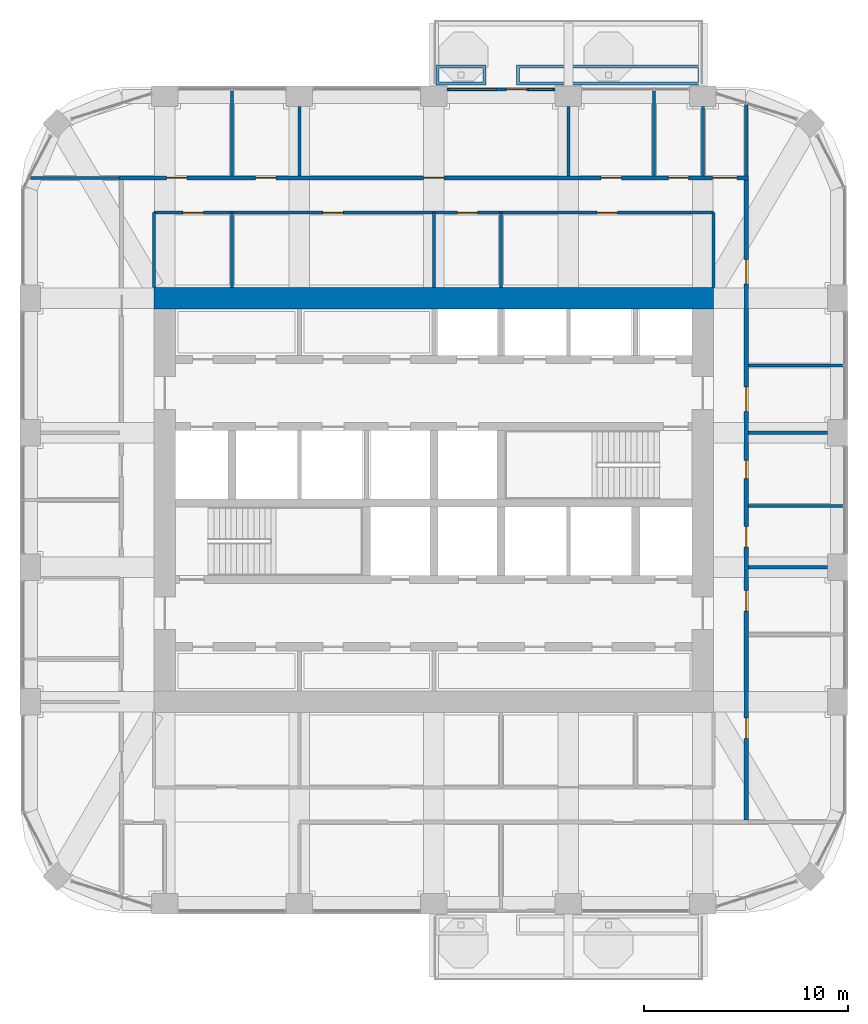
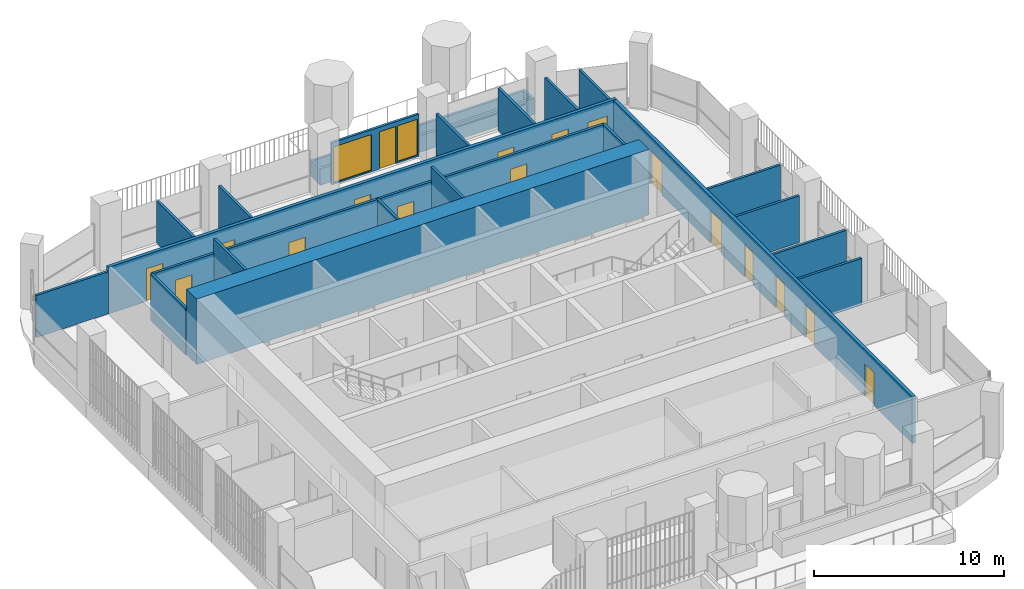
# One storey, part 16 of 21: 23 walls, 17 doors, 2 windows, 19 openings.
"""IFC4 building model written with IfcOpenShell, lengths in metres."""

from ifc_helpers import new_model, si_unit, direction, frame, frame_2d, origin, place, context, subcontext, project, spatial, polyline, rectangle, outline, extrude, material, layer, layer_set, type_object, element, fill, save


model = new_model("IFC4")

# Units and contexts
model_context = context("Model", 3, precision=1e-05, world=origin(), true_north=direction((0.0, 1.0)))
body_context = subcontext(model_context, "Body", "Model", "MODEL_VIEW")
ifc_project = project(units=[si_unit("LENGTHUNIT", "METRE"), si_unit("AREAUNIT", "SQUARE_METRE"), si_unit("VOLUMEUNIT", "CUBIC_METRE"), si_unit("PLANEANGLEUNIT", "RADIAN"), si_unit("MASSUNIT", "GRAM", prefix="KILO")], contexts=[model_context])

# Site, building, storey
site_placement = place(None, origin())
site = spatial("IfcSite", under=ifc_project, at=site_placement, CompositionType="ELEMENT")
building_placement = place(site_placement, origin())
building = spatial("IfcBuilding", under=site, at=building_placement, Name="Cobogo Forest Laboratory Tower", CompositionType="ELEMENT")
storey_placement = place(building_placement, frame((0.0, 0.0, 250.199951171875)))
storey = spatial("IfcBuildingStorey", under=building, at=storey_placement, Name="L57", CompositionType="ELEMENT", Elevation=250.199951171875)

# Wall
ifc_material_1 = material(Name="Concrete HA-50 (C50/60)", Category="concrete")
ifc_layer_1 = layer(ifc_material_1, 1.050048828125)
ifc_layer_set_1 = layer_set([ifc_layer_1], Name="CW1050 core outer wall 1050")
wall_type_1 = type_object("IfcWallType", Name="CW1050 core outer wall 1050", PredefinedType="SHEAR", material=ifc_layer_set_1)
wall_1_placement = place(storey_placement, frame((40.125, 33.0, 0.0), z_axis=(0.0, 0.0, 1.0), x_axis=(-1.0, 0.0, 0.0)))
element("IfcWall", 1, at=wall_1_placement, inside=storey, type_object=wall_type_1, Name="Core wall CO-N L57", PredefinedType="SHEAR", context=body_context, shape_type="SweptSolid", body=[
    extrude(rectangle(XDim=27.449951171875, YDim=1.050048828125, at=frame_2d((13.72509765625, 0.0))), origin(), (0.0, 0.0, 1.0), 4.199951171875),
])

# Wall, openings, door, windows
ifc_material_2 = material(Name="Aluminium framed glazed screen", Category="aluminium")
ifc_layer_2 = layer(ifc_material_2, 0.14990234375)
ifc_layer_set_2 = layer_set([ifc_layer_2], Name="GS1 glazed door screen 150")
wall_type_2 = type_object("IfcWallType", Name="GS1 glazed door screen 150", PredefinedType="SOLIDWALL", material=ifc_layer_set_2)
wall_2_placement = place(storey_placement, frame((32.35009765625, 43.25, 0.0), z_axis=(0.0, 0.0, 1.0), x_axis=(-1.0, 0.0, 0.0)))
wall_2 = element("IfcWall", 2, at=wall_2_placement, inside=storey, type_object=wall_type_2, Name="Door screen BAL-N1 L57", PredefinedType="SOLIDWALL", context=body_context, shape_type="SweptSolid", body=[
    extrude(rectangle(XDim=5.300048828125, YDim=0.14990234375, at=frame_2d((2.64990234375, 0.0))), origin(), (0.0, 0.0, 1.0), 2.699951171875),
])
opening_1_placement = place(wall_2_placement, frame((1.39990234375, 0.0, 0.0)))
opening_1 = element("IfcOpeningElement", 3, at=opening_1_placement, cuts=wall_2, Name="Opening L57-D51", PredefinedType="OPENING", context=body_context, shape_type="SweptSolid", body=[
    extrude(rectangle(XDim=1.0, YDim=2.39990234375, at=frame_2d((0.5, 1.199951171875))), frame((0.0, 0.0849609375, 0.0), z_axis=(0.0, -1.0, 0.0), x_axis=(1.0, 0.0, 0.0)), (0.0, 0.0, 1.0), 0.169921875),
])
opening_2_placement = place(wall_2_placement, frame((0.10009765625, 0.0, 0.10009765625)))
opening_2 = element("IfcOpeningElement", 4, at=opening_2_placement, cuts=wall_2, Name="Opening L57-W04", PredefinedType="OPENING", context=body_context, shape_type="SweptSolid", body=[
    extrude(rectangle(XDim=1.199951171875, YDim=2.300048828125, at=frame_2d((0.60009765625, 1.14990234375))), frame((0.0, 0.0849609375, 0.0), z_axis=(0.0, -1.0, 0.0), x_axis=(1.0, 0.0, 0.0)), (0.0, 0.0, 1.0), 0.169921875),
])
opening_3_placement = place(wall_2_placement, frame((2.89990234375, 0.0, 0.10009765625)))
opening_3 = element("IfcOpeningElement", 5, at=opening_3_placement, cuts=wall_2, Name="Opening L57-W03", PredefinedType="OPENING", context=body_context, shape_type="SweptSolid", body=[
    extrude(rectangle(XDim=2.300048828125, YDim=2.300048828125, at=frame_2d((1.14990234375, 1.14990234375))), frame((0.0, 0.0849609375, 0.0), z_axis=(0.0, -1.0, 0.0), x_axis=(1.0, 0.0, 0.0)), (0.0, 0.0, 1.0), 0.169921875),
])
ifc_material_3 = material(Name="Aluminium glazed door", Category="aluminium")
door_type_1 = type_object("IfcDoorType", Name="DB1 balcony door 1000 glazed", OperationType="SINGLE_SWING_LEFT", PredefinedType="DOOR", material=ifc_material_3)
door_1_placement = place(opening_1_placement, origin())
door_1 = element("IfcDoor", 6, at=door_1_placement, inside=storey, type_object=door_type_1, Name="Door L57-BAL-N1", OperationType="SINGLE_SWING_LEFT", OverallHeight=2.39990234375, OverallWidth=1.0, PredefinedType="DOOR", context=body_context, shape_type="SweptSolid", body=[
    extrude(rectangle(XDim=1.0, YDim=2.39990234375, at=frame_2d((0.5, 1.199951171875))), frame((0.0, 0.02490234375, 0.0), z_axis=(0.0, -1.0, 0.0), x_axis=(1.0, 0.0, 0.0)), (0.0, 0.0, 1.0), 0.050048828125),
])
fill(opening_1, door_1)
ifc_material_4 = material(Name="Aluminium framed glazing", Category="aluminium")
window_type_1 = type_object("IfcWindowType", Name="WG21 fixed glazed light 2300x2300", PartitioningType="SINGLE_PANEL", PredefinedType="WINDOW", material=ifc_material_4)
window_1_placement = place(opening_3_placement, origin())
window_1 = element("IfcWindow", 7, at=window_1_placement, inside=storey, type_object=window_type_1, Name="Window L57-BAL-N1-2", OverallHeight=2.300048828125, OverallWidth=2.300048828125, PartitioningType="SINGLE_PANEL", PredefinedType="WINDOW", context=body_context, shape_type="SweptSolid", body=[
    extrude(rectangle(XDim=2.300048828125, YDim=2.300048828125, at=frame_2d((1.14990234375, 1.14990234375))), frame((0.0, 0.030029296875, 0.0), z_axis=(0.0, -1.0, 0.0), x_axis=(1.0, 0.0, 0.0)), (0.0, 0.0, 1.0), 0.06005859375),
])
fill(opening_3, window_1)
window_type_2 = type_object("IfcWindowType", Name="WG22 fixed glazed light 1200x2300", PartitioningType="SINGLE_PANEL", PredefinedType="WINDOW", material=ifc_material_4)
window_2_placement = place(opening_2_placement, origin())
window_2 = element("IfcWindow", 8, at=window_2_placement, inside=storey, type_object=window_type_2, Name="Window L57-BAL-N1-1", OverallHeight=2.300048828125, OverallWidth=1.199951171875, PartitioningType="SINGLE_PANEL", PredefinedType="WINDOW", context=body_context, shape_type="SweptSolid", body=[
    extrude(rectangle(XDim=1.199951171875, YDim=2.300048828125, at=frame_2d((0.60009765625, 1.14990234375))), frame((0.0, 0.030029296875, 0.0), z_axis=(0.0, -1.0, 0.0), x_axis=(1.0, 0.0, 0.0)), (0.0, 0.0, 1.0), 0.06005859375),
])
fill(opening_2, window_2)

# Wall, openings, doors
ifc_material_5 = material(Name="Gypsum board on steel studs", Category="steel")
ifc_layer_3 = layer(ifc_material_5, 0.14990234375)
ifc_layer_set_3 = layer_set([ifc_layer_3], Name="PT1 laboratory partition 150")
wall_type_3 = type_object("IfcWallType", Name="PT1 laboratory partition 150", PredefinedType="PARTITIONING", material=ifc_layer_set_3)
wall_3_placement = place(storey_placement, frame((12.675048828125, 37.199951171875, 0.0), z_axis=(0.0, 0.0, 1.0), x_axis=(1.0, 0.0, 0.0)))
wall_3 = element("IfcWall", 9, at=wall_3_placement, inside=storey, type_object=wall_type_3, Name="Partition CSTRIP-N L57", PredefinedType="PARTITIONING", context=body_context, shape_type="SweptSolid", body=[
    extrude(rectangle(XDim=27.449951171875, YDim=0.14990234375, at=frame_2d((13.72509765625, 0.0))), origin(), (0.0, 0.0, 1.0), 3.0),
])
opening_4_placement = place(wall_3_placement, frame((1.41259765625, 0.0, 0.0)))
opening_4 = element("IfcOpeningElement", 10, at=opening_4_placement, cuts=wall_3, Name="Opening L57-D41", PredefinedType="OPENING", context=body_context, shape_type="SweptSolid", body=[
    extrude(rectangle(XDim=1.0, YDim=2.10009765625, at=frame_2d((0.5, 1.050048828125))), frame((0.0, 0.0849609375, 0.0), z_axis=(0.0, -1.0, 0.0), x_axis=(1.0, 0.0, 0.0)), (0.0, 0.0, 1.0), 0.169921875),
])
opening_5_placement = place(wall_3_placement, frame((8.27490234375, 0.0, 0.0)))
opening_5 = element("IfcOpeningElement", 11, at=opening_5_placement, cuts=wall_3, Name="Opening L57-D42", PredefinedType="OPENING", context=body_context, shape_type="SweptSolid", body=[
    extrude(rectangle(XDim=1.0, YDim=2.10009765625, at=frame_2d((0.5, 1.050048828125))), frame((0.0, 0.0849609375, 0.0), z_axis=(0.0, -1.0, 0.0), x_axis=(1.0, 0.0, 0.0)), (0.0, 0.0, 1.0), 0.169921875),
])
opening_6_placement = place(wall_3_placement, frame((14.875, 0.0, 0.0)))
opening_6 = element("IfcOpeningElement", 12, at=opening_6_placement, cuts=wall_3, Name="Opening L57-D43", PredefinedType="OPENING", context=body_context, shape_type="SweptSolid", body=[
    extrude(rectangle(XDim=1.0, YDim=2.10009765625, at=frame_2d((0.5, 1.050048828125))), frame((0.0, 0.0849609375, 0.0), z_axis=(0.0, -1.0, 0.0), x_axis=(1.0, 0.0, 0.0)), (0.0, 0.0, 1.0), 0.169921875),
])
opening_7_placement = place(wall_3_placement, frame((21.737548828125, 0.0, 0.0)))
opening_7 = element("IfcOpeningElement", 13, at=opening_7_placement, cuts=wall_3, Name="Opening L57-D44", PredefinedType="OPENING", context=body_context, shape_type="SweptSolid", body=[
    extrude(rectangle(XDim=1.0, YDim=2.10009765625, at=frame_2d((0.5, 1.050048828125))), frame((0.0, 0.0849609375, 0.0), z_axis=(0.0, -1.0, 0.0), x_axis=(1.0, 0.0, 0.0)), (0.0, 0.0, 1.0), 0.169921875),
])
ifc_material_6 = material(Name="Timber fire door", Category="wood")
door_type_2 = type_object("IfcDoorType", Name="FD2 fire door 1000 EI2 30", OperationType="SINGLE_SWING_LEFT", PredefinedType="DOOR", material=ifc_material_6)
door_2_placement = place(opening_4_placement, origin())
door_2 = element("IfcDoor", 14, at=door_2_placement, inside=storey, type_object=door_type_2, Name="Door L57-CSN1", OperationType="SINGLE_SWING_LEFT", OverallHeight=2.10009765625, OverallWidth=1.0, PredefinedType="DOOR", context=body_context, shape_type="SweptSolid", body=[
    extrude(rectangle(XDim=1.0, YDim=2.10009765625, at=frame_2d((0.5, 1.050048828125))), frame((0.0, 0.02490234375, 0.0), z_axis=(0.0, -1.0, 0.0), x_axis=(1.0, 0.0, 0.0)), (0.0, 0.0, 1.0), 0.050048828125),
])
fill(opening_4, door_2)
door_3_placement = place(opening_5_placement, origin())
door_3 = element("IfcDoor", 15, at=door_3_placement, inside=storey, type_object=door_type_2, Name="Door L57-CSN2", OperationType="SINGLE_SWING_LEFT", OverallHeight=2.10009765625, OverallWidth=1.0, PredefinedType="DOOR", context=body_context, shape_type="SweptSolid", body=[
    extrude(rectangle(XDim=1.0, YDim=2.10009765625, at=frame_2d((0.5, 1.050048828125))), frame((0.0, 0.02490234375, 0.0), z_axis=(0.0, -1.0, 0.0), x_axis=(1.0, 0.0, 0.0)), (0.0, 0.0, 1.0), 0.050048828125),
])
fill(opening_5, door_3)
door_4_placement = place(opening_6_placement, origin())
door_4 = element("IfcDoor", 16, at=door_4_placement, inside=storey, type_object=door_type_2, Name="Door L57-CSN3", OperationType="SINGLE_SWING_RIGHT", OverallHeight=2.10009765625, OverallWidth=1.0, PredefinedType="DOOR", context=body_context, shape_type="SweptSolid", body=[
    extrude(rectangle(XDim=1.0, YDim=2.10009765625, at=frame_2d((0.5, 1.050048828125))), frame((0.0, 0.02490234375, 0.0), z_axis=(0.0, -1.0, 0.0), x_axis=(1.0, 0.0, 0.0)), (0.0, 0.0, 1.0), 0.050048828125),
])
fill(opening_6, door_4)
door_5_placement = place(opening_7_placement, origin())
door_5 = element("IfcDoor", 17, at=door_5_placement, inside=storey, type_object=door_type_2, Name="Door L57-CSN4", OperationType="SINGLE_SWING_RIGHT", OverallHeight=2.10009765625, OverallWidth=1.0, PredefinedType="DOOR", context=body_context, shape_type="SweptSolid", body=[
    extrude(rectangle(XDim=1.0, YDim=2.10009765625, at=frame_2d((0.5, 1.050048828125))), frame((0.0, 0.02490234375, 0.0), z_axis=(0.0, -1.0, 0.0), x_axis=(1.0, 0.0, 0.0)), (0.0, 0.0, 1.0), 0.050048828125),
])
fill(opening_7, door_5)

# Walls
for number, where, z_axis, x_axis, name in (
    (18, (12.675048828125, 33.52490234375, 0.0), (0.0, 0.0, 1.0), (0.0, 1.0, 0.0), "Partition CSTRIP-NW L57"),
    (19, (40.125, 33.52490234375, 0.0), (0.0, 0.0, 1.0), (0.0, 1.0, 0.0), "Partition CSTRIP-NE L57"),
):
    element("IfcWall", number, at=place(storey_placement, frame(where, z_axis=z_axis, x_axis=x_axis)), inside=storey, type_object=wall_type_3, Name=name, PredefinedType="PARTITIONING", context=body_context, shape_type="SweptSolid", body=[
        extrude(rectangle(XDim=3.675048828125, YDim=0.14990234375, at=frame_2d((1.83740234375, 0.0))), origin(), (0.0, 0.0, 1.0), 3.0),
    ])
wall_4_placement = place(storey_placement, frame((16.5, 33.52490234375, 0.0), z_axis=(0.0, 0.0, 1.0), x_axis=(0.0, 1.0, 0.0)))
element("IfcWall", 20, at=wall_4_placement, inside=storey, type_object=wall_type_3, Name="Partition CSTRIP-N16.5 L57", PredefinedType="PARTITIONING", context=body_context, shape_type="SweptSolid", body=[
    extrude(rectangle(XDim=3.675048828125, YDim=0.14990234375, at=frame_2d((1.83740234375, 0.0))), origin(), (0.0, 0.0, 1.0), 3.900146484375),
])
wall_5_placement = place(storey_placement, frame((26.39990234375, 33.52490234375, 0.0), z_axis=(0.0, 0.0, 1.0), x_axis=(0.0, 1.0, 0.0)))
element("IfcWall", 21, at=wall_5_placement, inside=storey, type_object=wall_type_3, Name="Partition CSTRIP-N26.4 L57", PredefinedType="PARTITIONING", context=body_context, shape_type="SweptSolid", body=[
    extrude(rectangle(XDim=3.675048828125, YDim=0.14990234375, at=frame_2d((1.83740234375, 0.0))), origin(), (0.0, 0.0, 1.0), 3.0),
])
wall_6_placement = place(storey_placement, frame((29.699951171875, 33.52490234375, 0.0), z_axis=(0.0, 0.0, 1.0), x_axis=(0.0, 1.0, 0.0)))
element("IfcWall", 22, at=wall_6_placement, inside=storey, type_object=wall_type_3, Name="Partition CSTRIP-N29.7 L57", PredefinedType="PARTITIONING", context=body_context, shape_type="SweptSolid", body=[
    extrude(rectangle(XDim=3.675048828125, YDim=0.14990234375, at=frame_2d((1.83740234375, 0.0))), origin(), (0.0, 0.0, 1.0), 3.900146484375),
])
wall_7_placement = place(storey_placement, frame((41.72509765625, 42.4951171875, 0.0), z_axis=(0.0, 0.0, 1.0), x_axis=(0.0, -1.0, 0.0)))
element("IfcWall", 23, at=wall_7_placement, inside=storey, type_object=wall_type_3, Name="Partition PW-NE L57", PredefinedType="PARTITIONING", context=body_context, shape_type="SweptSolid", body=[
    extrude(rectangle(XDim=3.4951171875, YDim=0.14990234375, at=frame_2d((1.74755859375, 0.0))), origin(), (0.0, 0.0, 1.0), 2.699951171875),
])
wall_8_placement = place(storey_placement, frame((6.6025390625, 38.89990234375, 0.0), z_axis=(0.0, 0.0, 1.0), x_axis=(1.0, 0.0, 0.0)))
element("IfcWall", 24, at=wall_8_placement, inside=storey, type_object=wall_type_3, Name="Partition PW-NW L57", PredefinedType="PARTITIONING", context=body_context, shape_type="SweptSolid", body=[
    extrude(rectangle(XDim=4.37255859375, YDim=0.14990234375, at=frame_2d((2.186279296875, 0.0))), origin(), (0.0, 0.0, 1.0), 2.699951171875),
])
wall_9_placement = place(storey_placement, frame((46.469970703125, 22.800048828125, 0.0), z_axis=(0.0, 0.0, 1.0), x_axis=(-1.0, 0.0, 0.0)))
element("IfcWall", 25, at=wall_9_placement, inside=storey, type_object=wall_type_3, Name="Partition SVC-E1-1 L57", PredefinedType="PARTITIONING", context=body_context, shape_type="SweptSolid", body=[
    extrude(rectangle(XDim=4.64501953125, YDim=0.14990234375, at=frame_2d((2.322509765625, 0.0))), origin(), (0.0, 0.0, 1.0), 2.699951171875),
])
for number, where, z_axis, x_axis, name in (
    (26, (45.699951171875, 26.39990234375, 0.0), (0.0, 0.0, 1.0), (-1.0, 0.0, 0.0), "Partition SVC-E2-1 L57"),
    (27, (45.699951171875, 19.800048828125, 0.0), (0.0, 0.0, 1.0), (-1.0, 0.0, 0.0), "Partition CUT-E19.8-1 L57"),
):
    element("IfcWall", number, at=place(storey_placement, frame(where, z_axis=z_axis, x_axis=x_axis)), inside=storey, type_object=wall_type_3, Name=name, PredefinedType="PARTITIONING", context=body_context, shape_type="SweptSolid", body=[
        extrude(rectangle(XDim=3.875, YDim=0.14990234375, at=frame_2d((1.9375, 0.0))), origin(), (0.0, 0.0, 1.0), 3.0),
    ])
wall_10_placement = place(storey_placement, frame((46.469970703125, 29.699951171875, 0.0), z_axis=(0.0, 0.0, 1.0), x_axis=(-1.0, 0.0, 0.0)))
element("IfcWall", 28, at=wall_10_placement, inside=storey, type_object=wall_type_3, Name="Partition CUT-E29.7-1 L57", PredefinedType="PARTITIONING", context=body_context, shape_type="SweptSolid", body=[
    extrude(rectangle(XDim=4.64501953125, YDim=0.14990234375, at=frame_2d((2.322509765625, 0.0))), origin(), (0.0, 0.0, 1.0), 2.699951171875),
])
wall_11_placement = place(storey_placement, frame((37.199951171875, 43.169921875, 0.0), z_axis=(0.0, 0.0, 1.0), x_axis=(0.0, -1.0, 0.0)))
element("IfcWall", 29, at=wall_11_placement, inside=storey, type_object=wall_type_3, Name="Partition SVC-N1-1 L57", PredefinedType="PARTITIONING", context=body_context, shape_type="SweptSolid", body=[
    extrude(rectangle(XDim=4.169921875, YDim=0.14990234375, at=frame_2d((2.0849609375, 0.0))), origin(), (0.0, 0.0, 1.0), 2.699951171875),
])
wall_12_placement = place(storey_placement, frame((39.60009765625, 42.39990234375, 0.0), z_axis=(0.0, 0.0, 1.0), x_axis=(0.0, -1.0, 0.0)))
element("IfcWall", 30, at=wall_12_placement, inside=storey, type_object=wall_type_3, Name="Partition SVC-N2-1 L57", PredefinedType="PARTITIONING", context=body_context, shape_type="SweptSolid", body=[
    extrude(rectangle(XDim=3.39990234375, YDim=0.14990234375, at=frame_2d((1.699951171875, 0.0))), origin(), (0.0, 0.0, 1.0), 3.0),
])
wall_13_placement = place(storey_placement, frame((16.5, 43.169921875, 0.0), z_axis=(0.0, 0.0, 1.0), x_axis=(0.0, -1.0, 0.0)))
element("IfcWall", 31, at=wall_13_placement, inside=storey, type_object=wall_type_3, Name="Partition CUT-N16.5-1 L57", PredefinedType="PARTITIONING", context=body_context, shape_type="SweptSolid", body=[
    extrude(rectangle(XDim=4.169921875, YDim=0.14990234375, at=frame_2d((2.0849609375, 0.0))), origin(), (0.0, 0.0, 1.0), 2.699951171875),
])
for number, where, z_axis, x_axis, name in (
    (32, (19.800048828125, 42.39990234375, 0.0), (0.0, 0.0, 1.0), (0.0, -1.0, 0.0), "Partition CUT-N19.8-1 L57"),
    (33, (33.0, 42.39990234375, 0.0), (0.0, 0.0, 1.0), (0.0, -1.0, 0.0), "Partition CUT-N33-1 L57"),
):
    element("IfcWall", number, at=place(storey_placement, frame(where, z_axis=z_axis, x_axis=x_axis)), inside=storey, type_object=wall_type_3, Name=name, PredefinedType="PARTITIONING", context=body_context, shape_type="SweptSolid", body=[
        extrude(rectangle(XDim=3.39990234375, YDim=0.14990234375, at=frame_2d((1.699951171875, 0.0))), origin(), (0.0, 0.0, 1.0), 3.0),
    ])

# Wall, openings, doors
ifc_layer_4 = layer(ifc_material_5, 0.199951171875)
ifc_layer_set_4 = layer_set([ifc_layer_4], Name="PT2 fire-rated corridor partition 200")
wall_type_4 = type_object("IfcWallType", Name="PT2 fire-rated corridor partition 200", PredefinedType="PARTITIONING", material=ifc_layer_set_4)
wall_14_placement = place(storey_placement, frame((10.97509765625, 38.89990234375, 0.0), z_axis=(0.0, 0.0, 1.0), x_axis=(1.0, 0.0, 0.0)))
wall_14 = element("IfcWall", 34, at=wall_14_placement, inside=storey, type_object=wall_type_4, Name="Partition CORR-N L57", PredefinedType="PARTITIONING", context=body_context, shape_type="SweptSolid", body=[
    extrude(rectangle(XDim=30.849853515625, YDim=0.199951171875, at=frame_2d((15.4248046875, 0.0))), origin(), (0.0, 0.0, 1.0), 3.0),
])
opening_8_placement = place(wall_14_placement, frame((2.3125, 0.0, 0.0)))
opening_8 = element("IfcOpeningElement", 35, at=opening_8_placement, cuts=wall_14, Name="Opening L57-D45", PredefinedType="OPENING", context=body_context, shape_type="SweptSolid", body=[
    extrude(rectangle(XDim=1.0, YDim=2.10009765625, at=frame_2d((0.5, 1.050048828125))), frame((0.0, 0.10986328125, 0.0), z_axis=(0.0, -1.0, 0.0), x_axis=(1.0, 0.0, 0.0)), (0.0, 0.0, 1.0), 0.219970703125),
])
opening_9_placement = place(wall_14_placement, frame((6.675048828125, 0.0, 0.0)))
opening_9 = element("IfcOpeningElement", 36, at=opening_9_placement, cuts=wall_14, Name="Opening L57-D46", PredefinedType="OPENING", context=body_context, shape_type="SweptSolid", body=[
    extrude(rectangle(XDim=1.0, YDim=2.10009765625, at=frame_2d((0.5, 1.050048828125))), frame((0.0, 0.10986328125, 0.0), z_axis=(0.0, -1.0, 0.0), x_axis=(1.0, 0.0, 0.0)), (0.0, 0.0, 1.0), 0.219970703125),
])
opening_10_placement = place(wall_14_placement, frame((14.925048828125, 0.0, 0.0)))
opening_10 = element("IfcOpeningElement", 37, at=opening_10_placement, cuts=wall_14, Name="Opening L57-D47", PredefinedType="OPENING", context=body_context, shape_type="SweptSolid", body=[
    extrude(rectangle(XDim=1.0, YDim=2.10009765625, at=frame_2d((0.5, 1.050048828125))), frame((0.0, 0.10986328125, 0.0), z_axis=(0.0, -1.0, 0.0), x_axis=(1.0, 0.0, 0.0)), (0.0, 0.0, 1.0), 0.219970703125),
])
opening_11_placement = place(wall_14_placement, frame((23.625, 0.0, 0.0)))
opening_11 = element("IfcOpeningElement", 38, at=opening_11_placement, cuts=wall_14, Name="Opening L57-D48", PredefinedType="OPENING", context=body_context, shape_type="SweptSolid", body=[
    extrude(rectangle(XDim=1.0, YDim=2.10009765625, at=frame_2d((0.5, 1.050048828125))), frame((0.0, 0.10986328125, 0.0), z_axis=(0.0, -1.0, 0.0), x_axis=(1.0, 0.0, 0.0)), (0.0, 0.0, 1.0), 0.219970703125),
])
opening_12_placement = place(wall_14_placement, frame((26.925048828125, 0.0, 0.0)))
opening_12 = element("IfcOpeningElement", 39, at=opening_12_placement, cuts=wall_14, Name="Opening L57-D49", PredefinedType="OPENING", context=body_context, shape_type="SweptSolid", body=[
    extrude(rectangle(XDim=1.0, YDim=2.10009765625, at=frame_2d((0.5, 1.050048828125))), frame((0.0, 0.10986328125, 0.0), z_axis=(0.0, -1.0, 0.0), x_axis=(1.0, 0.0, 0.0)), (0.0, 0.0, 1.0), 0.219970703125),
])
opening_13_placement = place(wall_14_placement, frame((29.08740234375, 0.0, 0.0)))
opening_13 = element("IfcOpeningElement", 40, at=opening_13_placement, cuts=wall_14, Name="Opening L57-D50", PredefinedType="OPENING", context=body_context, shape_type="SweptSolid", body=[
    extrude(rectangle(XDim=1.199951171875, YDim=2.10009765625, at=frame_2d((0.60009765625, 1.050048828125))), frame((0.0, 0.10986328125, 0.0), z_axis=(0.0, -1.0, 0.0), x_axis=(1.0, 0.0, 0.0)), (0.0, 0.0, 1.0), 0.219970703125),
])
ifc_material_7 = material(Name="Timber door", Category="wood")
door_type_3 = type_object("IfcDoorType", Name="D2 laboratory door 1200 unequal pair", OperationType="DOUBLE_DOOR_SINGLE_SWING", PredefinedType="DOOR", material=ifc_material_7)
door_6_placement = place(opening_13_placement, origin())
door_6 = element("IfcDoor", 41, at=door_6_placement, inside=storey, type_object=door_type_3, Name="Door L57-N4", OperationType="DOUBLE_DOOR_SINGLE_SWING", OverallHeight=2.10009765625, OverallWidth=1.199951171875, PredefinedType="DOOR", context=body_context, shape_type="SweptSolid", body=[
    extrude(rectangle(XDim=1.199951171875, YDim=2.10009765625, at=frame_2d((0.60009765625, 1.050048828125))), frame((0.0, 0.02490234375, 0.0), z_axis=(0.0, -1.0, 0.0), x_axis=(1.0, 0.0, 0.0)), (0.0, 0.0, 1.0), 0.050048828125),
])
fill(opening_13, door_6)
door_7_placement = place(opening_8_placement, origin())
door_7 = element("IfcDoor", 42, at=door_7_placement, inside=storey, type_object=door_type_2, Name="Door L57-N1", OperationType="SINGLE_SWING_LEFT", OverallHeight=2.10009765625, OverallWidth=1.0, PredefinedType="DOOR", context=body_context, shape_type="SweptSolid", body=[
    extrude(rectangle(XDim=1.0, YDim=2.10009765625, at=frame_2d((0.5, 1.050048828125))), frame((0.0, 0.02490234375, 0.0), z_axis=(0.0, -1.0, 0.0), x_axis=(1.0, 0.0, 0.0)), (0.0, 0.0, 1.0), 0.050048828125),
])
fill(opening_8, door_7)
door_8_placement = place(opening_9_placement, origin())
door_8 = element("IfcDoor", 43, at=door_8_placement, inside=storey, type_object=door_type_2, Name="Door L57-N2", OperationType="SINGLE_SWING_LEFT", OverallHeight=2.10009765625, OverallWidth=1.0, PredefinedType="DOOR", context=body_context, shape_type="SweptSolid", body=[
    extrude(rectangle(XDim=1.0, YDim=2.10009765625, at=frame_2d((0.5, 1.050048828125))), frame((0.0, 0.02490234375, 0.0), z_axis=(0.0, -1.0, 0.0), x_axis=(1.0, 0.0, 0.0)), (0.0, 0.0, 1.0), 0.050048828125),
])
fill(opening_9, door_8)
door_9_placement = place(opening_10_placement, origin())
door_9 = element("IfcDoor", 44, at=door_9_placement, inside=storey, type_object=door_type_2, Name="Door L57-N3", OperationType="SINGLE_SWING_RIGHT", OverallHeight=2.10009765625, OverallWidth=1.0, PredefinedType="DOOR", context=body_context, shape_type="SweptSolid", body=[
    extrude(rectangle(XDim=1.0, YDim=2.10009765625, at=frame_2d((0.5, 1.050048828125))), frame((0.0, 0.02490234375, 0.0), z_axis=(0.0, -1.0, 0.0), x_axis=(1.0, 0.0, 0.0)), (0.0, 0.0, 1.0), 0.050048828125),
])
fill(opening_10, door_9)
door_10_placement = place(opening_11_placement, origin())
door_10 = element("IfcDoor", 45, at=door_10_placement, inside=storey, type_object=door_type_2, Name="Door L57-MTG", OperationType="SINGLE_SWING_RIGHT", OverallHeight=2.10009765625, OverallWidth=1.0, PredefinedType="DOOR", context=body_context, shape_type="SweptSolid", body=[
    extrude(rectangle(XDim=1.0, YDim=2.10009765625, at=frame_2d((0.5, 1.050048828125))), frame((0.0, 0.02490234375, 0.0), z_axis=(0.0, -1.0, 0.0), x_axis=(1.0, 0.0, 0.0)), (0.0, 0.0, 1.0), 0.050048828125),
])
fill(opening_11, door_10)
door_11_placement = place(opening_12_placement, origin())
door_11 = element("IfcDoor", 46, at=door_11_placement, inside=storey, type_object=door_type_2, Name="Door L57-PAN", OperationType="SINGLE_SWING_RIGHT", OverallHeight=2.10009765625, OverallWidth=1.0, PredefinedType="DOOR", context=body_context, shape_type="SweptSolid", body=[
    extrude(rectangle(XDim=1.0, YDim=2.10009765625, at=frame_2d((0.5, 1.050048828125))), frame((0.0, 0.02490234375, 0.0), z_axis=(0.0, -1.0, 0.0), x_axis=(1.0, 0.0, 0.0)), (0.0, 0.0, 1.0), 0.050048828125),
])
fill(opening_12, door_11)

wall_15_placement = place(storey_placement, frame((41.72509765625, 7.39990234375, 0.0), z_axis=(0.0, 0.0, 1.0), x_axis=(0.0, 1.0, 0.0)))
wall_15 = element("IfcWall", 47, at=wall_15_placement, inside=storey, type_object=wall_type_4, Name="Partition CORR-E L57", PredefinedType="PARTITIONING", context=body_context, shape_type="SweptSolid", body=[
    extrude(rectangle(XDim=31.400146484375, YDim=0.199951171875, at=frame_2d((15.7001953125, 0.0))), origin(), (0.0, 0.0, 1.0), 3.0),
])
opening_14_placement = place(wall_15_placement, frame((4.0, 0.0, 0.0)))
opening_14 = element("IfcOpeningElement", 48, at=opening_14_placement, cuts=wall_15, Name="Opening L57-D10", PredefinedType="OPENING", context=body_context, shape_type="SweptSolid", body=[
    extrude(rectangle(XDim=1.0, YDim=2.10009765625, at=frame_2d((0.5, 1.050048828125))), frame((0.0, 0.10986328125, 0.0), z_axis=(0.0, -1.0, 0.0), x_axis=(1.0, 0.0, 0.0)), (0.0, 0.0, 1.0), 0.219970703125),
])
opening_15_placement = place(wall_15_placement, frame((10.25, 0.0, 0.0)))
opening_15 = element("IfcOpeningElement", 49, at=opening_15_placement, cuts=wall_15, Name="Opening L57-D23", PredefinedType="OPENING", context=body_context, shape_type="SweptSolid", body=[
    extrude(rectangle(XDim=1.0, YDim=2.10009765625, at=frame_2d((0.5, 1.050048828125))), frame((0.0, 0.10986328125, 0.0), z_axis=(0.0, -1.0, 0.0), x_axis=(1.0, 0.0, 0.0)), (0.0, 0.0, 1.0), 0.219970703125),
])
opening_16_placement = place(wall_15_placement, frame((13.39990234375, 0.0, 0.0)))
opening_16 = element("IfcOpeningElement", 50, at=opening_16_placement, cuts=wall_15, Name="Opening L57-D28", PredefinedType="OPENING", context=body_context, shape_type="SweptSolid", body=[
    extrude(rectangle(XDim=1.0, YDim=2.10009765625, at=frame_2d((0.5, 1.050048828125))), frame((0.0, 0.10986328125, 0.0), z_axis=(0.0, -1.0, 0.0), x_axis=(1.0, 0.0, 0.0)), (0.0, 0.0, 1.0), 0.219970703125),
])
opening_17_placement = place(wall_15_placement, frame((16.75, 0.0, 0.0)))
opening_17 = element("IfcOpeningElement", 51, at=opening_17_placement, cuts=wall_15, Name="Opening L57-D29", PredefinedType="OPENING", context=body_context, shape_type="SweptSolid", body=[
    extrude(rectangle(XDim=0.89990234375, YDim=2.10009765625, at=frame_2d((0.449951171875, 1.050048828125))), frame((0.0, 0.10986328125, 0.0), z_axis=(0.0, -1.0, 0.0), x_axis=(1.0, 0.0, 0.0)), (0.0, 0.0, 1.0), 0.219970703125),
])
opening_18_placement = place(wall_15_placement, frame((20.050048828125, 0.0, 0.0)))
opening_18 = element("IfcOpeningElement", 52, at=opening_18_placement, cuts=wall_15, Name="Opening L57-D32", PredefinedType="OPENING", context=body_context, shape_type="SweptSolid", body=[
    extrude(rectangle(XDim=1.199951171875, YDim=2.10009765625, at=frame_2d((0.60009765625, 1.050048828125))), frame((0.0, 0.10986328125, 0.0), z_axis=(0.0, -1.0, 0.0), x_axis=(1.0, 0.0, 0.0)), (0.0, 0.0, 1.0), 0.219970703125),
])
opening_19_placement = place(wall_15_placement, frame((26.300048828125, 0.0, 0.0)))
opening_19 = element("IfcOpeningElement", 53, at=opening_19_placement, cuts=wall_15, Name="Opening L57-D40", PredefinedType="OPENING", context=body_context, shape_type="SweptSolid", body=[
    extrude(rectangle(XDim=1.199951171875, YDim=2.10009765625, at=frame_2d((0.60009765625, 1.050048828125))), frame((0.0, 0.10986328125, 0.0), z_axis=(0.0, -1.0, 0.0), x_axis=(1.0, 0.0, 0.0)), (0.0, 0.0, 1.0), 0.219970703125),
])
door_12_placement = place(opening_18_placement, origin())
door_12 = element("IfcDoor", 54, at=door_12_placement, inside=storey, type_object=door_type_3, Name="Door L57-E3", OperationType="DOUBLE_DOOR_SINGLE_SWING", OverallHeight=2.10009765625, OverallWidth=1.199951171875, PredefinedType="DOOR", context=body_context, shape_type="SweptSolid", body=[
    extrude(rectangle(XDim=1.199951171875, YDim=2.10009765625, at=frame_2d((0.60009765625, 1.050048828125))), frame((0.0, 0.02490234375, 0.0), z_axis=(0.0, -1.0, 0.0), x_axis=(1.0, 0.0, 0.0)), (0.0, 0.0, 1.0), 0.050048828125),
])
fill(opening_18, door_12)
door_13_placement = place(opening_19_placement, origin())
door_13 = element("IfcDoor", 55, at=door_13_placement, inside=storey, type_object=door_type_3, Name="Door L57-E4", OperationType="DOUBLE_DOOR_SINGLE_SWING", OverallHeight=2.10009765625, OverallWidth=1.199951171875, PredefinedType="DOOR", context=body_context, shape_type="SweptSolid", body=[
    extrude(rectangle(XDim=1.199951171875, YDim=2.10009765625, at=frame_2d((0.60009765625, 1.050048828125))), frame((0.0, 0.02490234375, 0.0), z_axis=(0.0, -1.0, 0.0), x_axis=(1.0, 0.0, 0.0)), (0.0, 0.0, 1.0), 0.050048828125),
])
fill(opening_19, door_13)
ifc_material_8 = material(Name="Steel fire door", Category="steel")
door_type_4 = type_object("IfcDoorType", Name="FD1 fire door 1000 EI2 60", OperationType="SINGLE_SWING_LEFT", PredefinedType="DOOR", material=ifc_material_8)
door_14_placement = place(opening_16_placement, origin())
door_14 = element("IfcDoor", 56, at=door_14_placement, inside=storey, type_object=door_type_4, Name="Door L57-ELEC", OperationType="SINGLE_SWING_LEFT", OverallHeight=2.10009765625, OverallWidth=1.0, PredefinedType="DOOR", context=body_context, shape_type="SweptSolid", body=[
    extrude(rectangle(XDim=1.0, YDim=2.10009765625, at=frame_2d((0.5, 1.050048828125))), frame((0.0, 0.02490234375, 0.0), z_axis=(0.0, -1.0, 0.0), x_axis=(1.0, 0.0, 0.0)), (0.0, 0.0, 1.0), 0.050048828125),
])
fill(opening_16, door_14)
door_15_placement = place(opening_14_placement, origin())
door_15 = element("IfcDoor", 57, at=door_15_placement, inside=storey, type_object=door_type_2, Name="Door L57-E1", OperationType="SINGLE_SWING_LEFT", OverallHeight=2.10009765625, OverallWidth=1.0, PredefinedType="DOOR", context=body_context, shape_type="SweptSolid", body=[
    extrude(rectangle(XDim=1.0, YDim=2.10009765625, at=frame_2d((0.5, 1.050048828125))), frame((0.0, 0.02490234375, 0.0), z_axis=(0.0, -1.0, 0.0), x_axis=(1.0, 0.0, 0.0)), (0.0, 0.0, 1.0), 0.050048828125),
])
fill(opening_14, door_15)
door_16_placement = place(opening_15_placement, origin())
door_16 = element("IfcDoor", 58, at=door_16_placement, inside=storey, type_object=door_type_2, Name="Door L57-E2", OperationType="SINGLE_SWING_LEFT", OverallHeight=2.10009765625, OverallWidth=1.0, PredefinedType="DOOR", context=body_context, shape_type="SweptSolid", body=[
    extrude(rectangle(XDim=1.0, YDim=2.10009765625, at=frame_2d((0.5, 1.050048828125))), frame((0.0, 0.02490234375, 0.0), z_axis=(0.0, -1.0, 0.0), x_axis=(1.0, 0.0, 0.0)), (0.0, 0.0, 1.0), 0.050048828125),
])
fill(opening_15, door_16)
door_type_5 = type_object("IfcDoorType", Name="FD4 riser access door 900 EI2 60", OperationType="SINGLE_SWING_LEFT", PredefinedType="DOOR", material=ifc_material_8)
door_17_placement = place(opening_17_placement, origin())
door_17 = element("IfcDoor", 59, at=door_17_placement, inside=storey, type_object=door_type_5, Name="Door L57-COMMS", OperationType="SINGLE_SWING_RIGHT", OverallHeight=2.10009765625, OverallWidth=0.89990234375, PredefinedType="DOOR", context=body_context, shape_type="SweptSolid", body=[
    extrude(rectangle(XDim=0.89990234375, YDim=2.10009765625, at=frame_2d((0.449951171875, 1.050048828125))), frame((0.0, 0.02490234375, 0.0), z_axis=(0.0, -1.0, 0.0), x_axis=(1.0, 0.0, 0.0)), (0.0, 0.0, 1.0), 0.050048828125),
])
fill(opening_17, door_17)

# Walls
ifc_material_9 = material(Name="Concrete HA-40 (C40/50)", Category="concrete")
ifc_layer_5 = layer(ifc_material_9, 0.14990234375)
ifc_layer_set_5 = layer_set([ifc_layer_5], Name="Planter box 1000x1050")
wall_type_5 = type_object("IfcWallType", Name="Planter box 1000x1050", PredefinedType="USERDEFINED", material=ifc_layer_set_5)
wall_16_placement = place(storey_placement, origin())
element("IfcWall", 60, at=wall_16_placement, inside=storey, type_object=wall_type_5, Name="Planter BAL-N1-1 L57", ObjectType="PLANTER", PredefinedType="USERDEFINED", context=body_context, shape_type="SweptSolid", body=[
    extrude(outline(polyline([(26.5, 43.449951171875), (28.949951171875, 43.449951171875), (28.949951171875, 44.449951171875), (26.5, 44.449951171875), (26.5, 43.449951171875)]), holes=[polyline([(26.64990234375, 43.60009765625), (28.800048828125, 43.60009765625), (28.800048828125, 44.300048828125), (26.64990234375, 44.300048828125), (26.64990234375, 43.60009765625)])]), origin(), (0.0, 0.0, 1.0), 1.050048828125),
])
wall_17_placement = place(storey_placement, origin())
element("IfcWall", 61, at=wall_17_placement, inside=storey, type_object=wall_type_5, Name="Planter BAL-N1-2 L57", ObjectType="PLANTER", PredefinedType="USERDEFINED", context=body_context, shape_type="SweptSolid", body=[
    extrude(outline(polyline([(30.449951171875, 43.449951171875), (39.5, 43.449951171875), (39.5, 44.449951171875), (30.449951171875, 44.449951171875), (30.449951171875, 43.449951171875)]), holes=[polyline([(30.60009765625, 43.60009765625), (39.35009765625, 43.60009765625), (39.35009765625, 44.300048828125), (30.60009765625, 44.300048828125), (30.60009765625, 43.60009765625)])]), origin(), (0.0, 0.0, 1.0), 1.050048828125),
])

save(model, "model.ifc")
